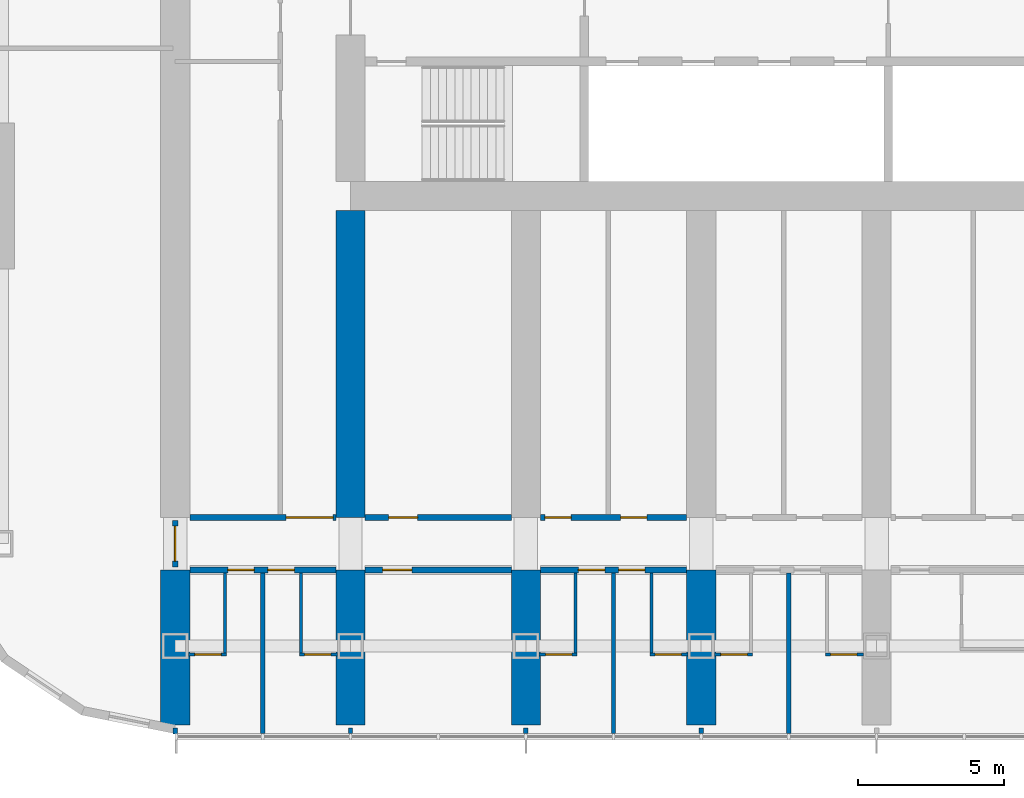
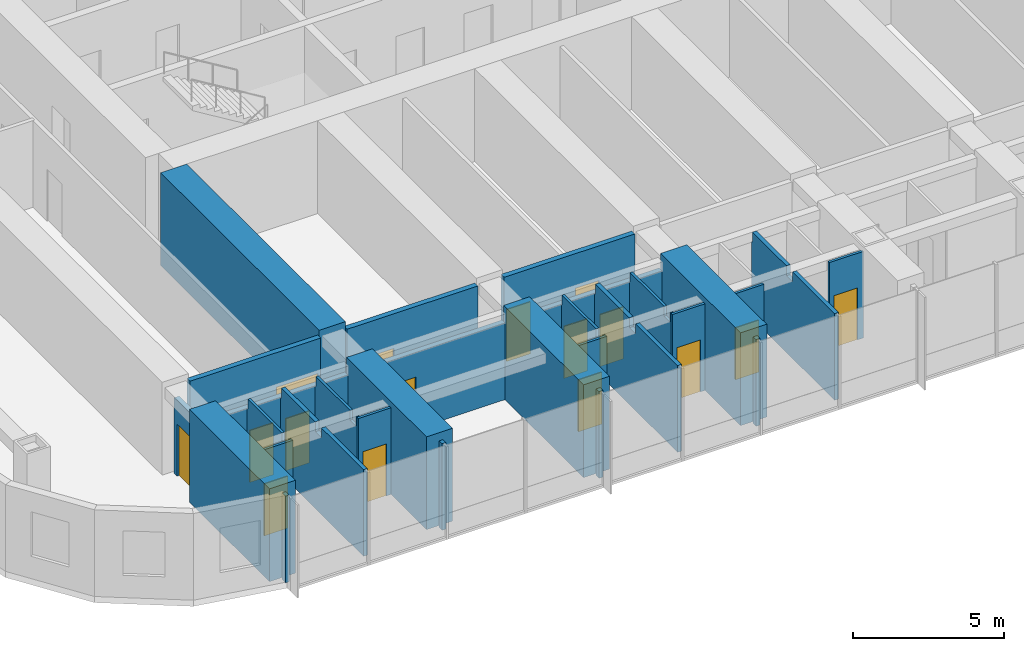
# One storey, part 10 of 23: 29 walls, 16 doors, 16 openings.
"""IFC4 building model written with IfcOpenShell, lengths in metres."""

from ifc_helpers import new_model, si_unit, direction, frame, frame_2d, origin, place, context, subcontext, project, spatial, polyline, rectangle, outline, extrude, material, layer, layer_set, type_object, element, fill, save


model = new_model("IFC4")

# Units and contexts
model_context = context("Model", 3, precision=1e-05, world=origin(), true_north=direction((0.0, 1.0)))
body_context = subcontext(model_context, "Body", "Model", "MODEL_VIEW")
ifc_project = project(units=[si_unit("LENGTHUNIT", "METRE"), si_unit("AREAUNIT", "SQUARE_METRE"), si_unit("VOLUMEUNIT", "CUBIC_METRE"), si_unit("PLANEANGLEUNIT", "RADIAN"), si_unit("MASSUNIT", "GRAM", prefix="KILO")], contexts=[model_context])

# Site, building, storey
site_placement = place(None, origin())
site = spatial("IfcSite", under=ifc_project, at=site_placement, CompositionType="ELEMENT")
building_placement = place(site_placement, origin())
building = spatial("IfcBuilding", under=site, at=building_placement, Name="Orbita Commons", CompositionType="ELEMENT")
storey_placement = place(building_placement, frame((0.0, 0.0, 46.449951171875)))
storey = spatial("IfcBuildingStorey", under=building, at=storey_placement, Name="L11", CompositionType="ELEMENT", Elevation=46.449951171875)

# Wall, openings, doors
ifc_material_1 = material(Name="Concrete blockwork", Category="masonry")
ifc_layer_1 = layer(ifc_material_1, 0.199951171875)
ifc_layer_set_1 = layer_set([ifc_layer_1], Name="Concrete blockwork")
wall_type_1 = type_object("IfcWallType", Name="Corridor wall 200 blockwork", PredefinedType="SOLIDWALL", material=ifc_layer_set_1)
wall_1_placement = place(storey_placement, frame((12.5, 13.0, 0.0), z_axis=(0.0, 0.0, 1.0), x_axis=(1.0, 0.0, 0.0)))
wall_1 = element("IfcWall", 1, at=wall_1_placement, inside=storey, type_object=wall_type_1, Name="Corridor wall 200 blockwork L11", PredefinedType="SOLIDWALL", context=body_context, shape_type="SweptSolid", body=[
    extrude(outline(polyline([(0.0, 0.0), (5.0, 0.0), (5.0, 3.10009765625), (0.0, 3.10009765625), (0.0, 0.0)])), frame((0.0, 0.10009765625, 0.0), z_axis=(0.0, -1.0, 0.0), x_axis=(1.0, 0.0, 0.0)), (0.0, 0.0, 1.0), 0.199951171875),
])
opening_1_placement = place(wall_1_placement, frame((1.300048828125, 0.0, 0.0)))
opening_1 = element("IfcOpeningElement", 2, at=opening_1_placement, cuts=wall_1, Name="Opening D11", PredefinedType="OPENING", context=body_context, shape_type="SweptSolid", body=[
    extrude(rectangle(XDim=0.89990234375, YDim=2.10009765625, at=frame_2d((0.449951171875, 1.050048828125))), frame((0.0, 0.10986328125, 0.0), z_axis=(0.0, -1.0, 0.0), x_axis=(1.0, 0.0, 0.0)), (0.0, 0.0, 1.0), 0.219970703125),
])
opening_2_placement = place(wall_1_placement, frame((2.675048828125, 0.0, 0.0)))
opening_2 = element("IfcOpeningElement", 3, at=opening_2_placement, cuts=wall_1, Name="Opening D11", PredefinedType="OPENING", context=body_context, shape_type="SweptSolid", body=[
    extrude(rectangle(XDim=0.89990234375, YDim=2.10009765625, at=frame_2d((0.449951171875, 1.050048828125))), frame((0.0, 0.10986328125, 0.0), z_axis=(0.0, -1.0, 0.0), x_axis=(1.0, 0.0, 0.0)), (0.0, 0.0, 1.0), 0.219970703125),
])
ifc_material_2 = material(Name="Steel-faced fire door leaf", Category="steel")
door_type_1 = type_object("IfcDoorType", Name="Corridor door 20 min 900x2100", OperationType="SINGLE_SWING_LEFT", PredefinedType="DOOR", material=ifc_material_2)
door_1_placement = place(opening_1_placement, origin())
door_1 = element("IfcDoor", 4, at=door_1_placement, inside=storey, type_object=door_type_1, Name="House bedroom L11-S00 door", OperationType="SINGLE_SWING_LEFT", OverallHeight=2.10009765625, OverallWidth=0.89990234375, PredefinedType="DOOR", context=body_context, shape_type="SweptSolid", body=[
    extrude(rectangle(XDim=0.89990234375, YDim=2.10009765625, at=frame_2d((0.449951171875, 1.050048828125))), frame((0.0, 0.02490234375, 0.0), z_axis=(0.0, -1.0, 0.0), x_axis=(1.0, 0.0, 0.0)), (0.0, 0.0, 1.0), 0.050048828125),
])
fill(opening_1, door_1)
door_2_placement = place(opening_2_placement, origin())
door_2 = element("IfcDoor", 5, at=door_2_placement, inside=storey, type_object=door_type_1, Name="House bedroom L11-S01 door", OperationType="SINGLE_SWING_LEFT", OverallHeight=2.10009765625, OverallWidth=0.89990234375, PredefinedType="DOOR", context=body_context, shape_type="SweptSolid", body=[
    extrude(rectangle(XDim=0.89990234375, YDim=2.10009765625, at=frame_2d((0.449951171875, 1.050048828125))), frame((0.0, 0.02490234375, 0.0), z_axis=(0.0, -1.0, 0.0), x_axis=(1.0, 0.0, 0.0)), (0.0, 0.0, 1.0), 0.050048828125),
])
fill(opening_2, door_2)

# Wall, opening, door
wall_2_placement = place(storey_placement, frame((18.5, 13.0, 0.0), z_axis=(0.0, 0.0, 1.0), x_axis=(1.0, 0.0, 0.0)))
wall_2 = element("IfcWall", 6, at=wall_2_placement, inside=storey, type_object=wall_type_1, Name="Corridor wall 200 blockwork L11", PredefinedType="SOLIDWALL", context=body_context, shape_type="SweptSolid", body=[
    extrude(outline(polyline([(0.0, 0.0), (5.0, 0.0), (5.0, 3.10009765625), (0.0, 3.10009765625), (0.0, 0.0)])), frame((0.0, 0.10009765625, 0.0), z_axis=(0.0, -1.0, 0.0), x_axis=(1.0, 0.0, 0.0)), (0.0, 0.0, 1.0), 0.199951171875),
])
opening_3_placement = place(wall_2_placement, frame((0.60009765625, 0.0, 0.0)))
opening_3 = element("IfcOpeningElement", 7, at=opening_3_placement, cuts=wall_2, Name="Opening D06", PredefinedType="OPENING", context=body_context, shape_type="SweptSolid", body=[
    extrude(rectangle(XDim=1.0, YDim=2.10009765625, at=frame_2d((0.5, 1.050048828125))), frame((0.0, 0.10986328125, 0.0), z_axis=(0.0, -1.0, 0.0), x_axis=(1.0, 0.0, 0.0)), (0.0, 0.0, 1.0), 0.219970703125),
])
ifc_material_3 = material(Name="Steel-faced fire door leaf", Category="steel")
door_type_2 = type_object("IfcDoorType", Name="Corridor door 20 min 1000x2100", OperationType="SINGLE_SWING_LEFT", PredefinedType="DOOR", material=ifc_material_3)
door_3_placement = place(opening_3_placement, origin())
door_3 = element("IfcDoor", 8, at=door_3_placement, inside=storey, type_object=door_type_2, Name="House study room L11-S02 door", OperationType="SINGLE_SWING_LEFT", OverallHeight=2.10009765625, OverallWidth=1.0, PredefinedType="DOOR", context=body_context, shape_type="SweptSolid", body=[
    extrude(rectangle(XDim=1.0, YDim=2.10009765625, at=frame_2d((0.5, 1.050048828125))), frame((0.0, 0.02490234375, 0.0), z_axis=(0.0, -1.0, 0.0), x_axis=(1.0, 0.0, 0.0)), (0.0, 0.0, 1.0), 0.050048828125),
])
fill(opening_3, door_3)

# Wall, openings, doors
wall_3_placement = place(storey_placement, frame((24.5, 13.0, 0.0), z_axis=(0.0, 0.0, 1.0), x_axis=(1.0, 0.0, 0.0)))
wall_3 = element("IfcWall", 9, at=wall_3_placement, inside=storey, type_object=wall_type_1, Name="Corridor wall 200 blockwork L11", PredefinedType="SOLIDWALL", context=body_context, shape_type="SweptSolid", body=[
    extrude(outline(polyline([(0.0, 0.0), (5.0, 0.0), (5.0, 3.10009765625), (0.0, 3.10009765625), (0.0, 0.0)])), frame((0.0, 0.10009765625, 0.0), z_axis=(0.0, -1.0, 0.0), x_axis=(1.0, 0.0, 0.0)), (0.0, 0.0, 1.0), 0.199951171875),
])
opening_4_placement = place(wall_3_placement, frame((1.300048828125, 0.0, 0.0)))
opening_4 = element("IfcOpeningElement", 10, at=opening_4_placement, cuts=wall_3, Name="Opening D11", PredefinedType="OPENING", context=body_context, shape_type="SweptSolid", body=[
    extrude(rectangle(XDim=0.89990234375, YDim=2.10009765625, at=frame_2d((0.449951171875, 1.050048828125))), frame((0.0, 0.10986328125, 0.0), z_axis=(0.0, -1.0, 0.0), x_axis=(1.0, 0.0, 0.0)), (0.0, 0.0, 1.0), 0.219970703125),
])
opening_5_placement = place(wall_3_placement, frame((2.675048828125, 0.0, 0.0)))
opening_5 = element("IfcOpeningElement", 11, at=opening_5_placement, cuts=wall_3, Name="Opening D11", PredefinedType="OPENING", context=body_context, shape_type="SweptSolid", body=[
    extrude(rectangle(XDim=0.89990234375, YDim=2.10009765625, at=frame_2d((0.449951171875, 1.050048828125))), frame((0.0, 0.10986328125, 0.0), z_axis=(0.0, -1.0, 0.0), x_axis=(1.0, 0.0, 0.0)), (0.0, 0.0, 1.0), 0.219970703125),
])
door_4_placement = place(opening_4_placement, origin())
door_4 = element("IfcDoor", 12, at=door_4_placement, inside=storey, type_object=door_type_1, Name="House bedroom L11-S04 door", OperationType="SINGLE_SWING_LEFT", OverallHeight=2.10009765625, OverallWidth=0.89990234375, PredefinedType="DOOR", context=body_context, shape_type="SweptSolid", body=[
    extrude(rectangle(XDim=0.89990234375, YDim=2.10009765625, at=frame_2d((0.449951171875, 1.050048828125))), frame((0.0, 0.02490234375, 0.0), z_axis=(0.0, -1.0, 0.0), x_axis=(1.0, 0.0, 0.0)), (0.0, 0.0, 1.0), 0.050048828125),
])
fill(opening_4, door_4)
door_5_placement = place(opening_5_placement, origin())
door_5 = element("IfcDoor", 13, at=door_5_placement, inside=storey, type_object=door_type_1, Name="House bedroom L11-S05 door", OperationType="SINGLE_SWING_LEFT", OverallHeight=2.10009765625, OverallWidth=0.89990234375, PredefinedType="DOOR", context=body_context, shape_type="SweptSolid", body=[
    extrude(rectangle(XDim=0.89990234375, YDim=2.10009765625, at=frame_2d((0.449951171875, 1.050048828125))), frame((0.0, 0.02490234375, 0.0), z_axis=(0.0, -1.0, 0.0), x_axis=(1.0, 0.0, 0.0)), (0.0, 0.0, 1.0), 0.050048828125),
])
fill(opening_5, door_5)

# Wall, opening, door
wall_4_placement = place(storey_placement, frame((12.0, 13.10009765625, 0.0), z_axis=(0.0, 0.0, 1.0), x_axis=(0.0, 1.0, 0.0)))
wall_4 = element("IfcWall", 14, at=wall_4_placement, inside=storey, type_object=wall_type_1, Name="Corridor wall 200 blockwork L11", PredefinedType="SOLIDWALL", context=body_context, shape_type="SweptSolid", body=[
    extrude(outline(polyline([(0.0, 0.0), (1.599853515625, 0.0), (1.60009765625, 3.050048828125), (0.0, 3.050048828125), (0.0, 0.0)])), frame((0.0, 0.10009765625, 0.0), z_axis=(0.0, -1.0, 0.0), x_axis=(1.0, 0.0, 0.0)), (0.0, 0.0, 1.0), 0.199951171875),
])
opening_6_placement = place(wall_4_placement, frame((0.199951171875, 0.0, 0.0)))
opening_6 = element("IfcOpeningElement", 15, at=opening_6_placement, cuts=wall_4, Name="Opening D12", PredefinedType="OPENING", context=body_context, shape_type="SweptSolid", body=[
    extrude(rectangle(XDim=1.199951171875, YDim=2.10009765625, at=frame_2d((0.60009765625, 1.050048828125))), frame((0.0, 0.10986328125, 0.0), z_axis=(0.0, -1.0, 0.0), x_axis=(1.0, 0.0, 0.0)), (0.0, 0.0, 1.0), 0.219970703125),
])
ifc_material_4 = material(Name="Steel-faced fire door leaf", Category="steel")
door_type_3 = type_object("IfcDoorType", Name="Double corridor door 20 min 1200x2100", OperationType="DOUBLE_DOOR_SINGLE_SWING", PredefinedType="DOOR", material=ifc_material_4)
door_6_placement = place(opening_6_placement, origin())
door_6 = element("IfcDoor", 16, at=door_6_placement, inside=storey, type_object=door_type_3, Name="Lounge doors", OperationType="DOUBLE_DOOR_SINGLE_SWING", OverallHeight=2.10009765625, OverallWidth=1.199951171875, PredefinedType="DOOR", context=body_context, shape_type="SweptSolid", body=[
    extrude(rectangle(XDim=1.199951171875, YDim=2.10009765625, at=frame_2d((0.60009765625, 1.050048828125))), frame((0.0, 0.02490234375, 0.0), z_axis=(0.0, -1.0, 0.0), x_axis=(1.0, 0.0, 0.0)), (0.0, 0.0, 1.0), 0.050048828125),
])
fill(opening_6, door_6)

ifc_material_5 = material(Name="Hollow concrete block 200", Category="concrete")
ifc_layer_2 = layer(ifc_material_5, 0.199951171875)
ifc_layer_set_2 = layer_set([ifc_layer_2], Name="Hollow concrete block 200")
wall_type_2 = type_object("IfcWallType", Name="Corridor wall 200 hollow concrete block", PredefinedType="SOLIDWALL", material=ifc_layer_set_2)
wall_5_placement = place(storey_placement, frame((12.5, 14.800048828125, 0.0), z_axis=(0.0, 0.0, 1.0), x_axis=(1.0, 0.0, 0.0)))
wall_5 = element("IfcWall", 17, at=wall_5_placement, inside=storey, type_object=wall_type_2, Name="Corridor wall 200 hollow concrete block L11", PredefinedType="SOLIDWALL", context=body_context, shape_type="SweptSolid", body=[
    extrude(rectangle(XDim=5.0, YDim=0.199951171875, at=frame_2d((2.5, 0.0))), origin(), (0.0, 0.0, 1.0), 3.5),
])
opening_7_placement = place(wall_5_placement, frame((3.300048828125, 0.0, 0.0)))
opening_7 = element("IfcOpeningElement", 18, at=opening_7_placement, cuts=wall_5, Name="Opening D10", PredefinedType="OPENING", context=body_context, shape_type="SweptSolid", body=[
    extrude(rectangle(XDim=1.60009765625, YDim=2.10009765625, at=frame_2d((0.800048828125, 1.050048828125))), frame((0.0, 0.10986328125, 0.0), z_axis=(0.0, -1.0, 0.0), x_axis=(1.0, 0.0, 0.0)), (0.0, 0.0, 1.0), 0.219970703125),
])
ifc_material_6 = material(Name="Steel-faced fire door leaf", Category="steel")
door_type_4 = type_object("IfcDoorType", Name="Double corridor door 20 min 1600x2100", OperationType="DOUBLE_DOOR_SINGLE_SWING", PredefinedType="DOOR", material=ifc_material_6)
door_7_placement = place(opening_7_placement, origin())
door_7 = element("IfcDoor", 19, at=door_7_placement, inside=storey, type_object=door_type_4, Name="Cross corridor doors", OperationType="DOUBLE_DOOR_SINGLE_SWING", OverallHeight=2.10009765625, OverallWidth=1.60009765625, PredefinedType="DOOR", context=body_context, shape_type="SweptSolid", body=[
    extrude(rectangle(XDim=1.60009765625, YDim=2.10009765625, at=frame_2d((0.800048828125, 1.050048828125))), frame((0.0, 0.02490234375, 0.0), z_axis=(0.0, -1.0, 0.0), x_axis=(1.0, 0.0, 0.0)), (0.0, 0.0, 1.0), 0.050048828125),
])
fill(opening_7, door_7)

wall_6_placement = place(storey_placement, frame((18.5, 14.800048828125, 0.0), z_axis=(0.0, 0.0, 1.0), x_axis=(1.0, 0.0, 0.0)))
wall_6 = element("IfcWall", 20, at=wall_6_placement, inside=storey, type_object=wall_type_2, Name="Corridor wall 200 hollow concrete block L11", PredefinedType="SOLIDWALL", context=body_context, shape_type="SweptSolid", body=[
    extrude(rectangle(XDim=5.0, YDim=0.199951171875, at=frame_2d((2.5, 0.0))), origin(), (0.0, 0.0, 1.0), 3.5),
])
opening_8_placement = place(wall_6_placement, frame((0.800048828125, 0.0, 0.0)))
opening_8 = element("IfcOpeningElement", 21, at=opening_8_placement, cuts=wall_6, Name="Opening D06", PredefinedType="OPENING", context=body_context, shape_type="SweptSolid", body=[
    extrude(rectangle(XDim=1.0, YDim=2.10009765625, at=frame_2d((0.5, 1.050048828125))), frame((0.0, 0.10986328125, 0.0), z_axis=(0.0, -1.0, 0.0), x_axis=(1.0, 0.0, 0.0)), (0.0, 0.0, 1.0), 0.219970703125),
])
door_8_placement = place(opening_8_placement, origin())
door_8 = element("IfcDoor", 22, at=door_8_placement, inside=storey, type_object=door_type_2, Name="IT and print room L11-BDS18 door", OperationType="SINGLE_SWING_LEFT", OverallHeight=2.10009765625, OverallWidth=1.0, PredefinedType="DOOR", context=body_context, shape_type="SweptSolid", body=[
    extrude(rectangle(XDim=1.0, YDim=2.10009765625, at=frame_2d((0.5, 1.050048828125))), frame((0.0, 0.02490234375, 0.0), z_axis=(0.0, -1.0, 0.0), x_axis=(1.0, 0.0, 0.0)), (0.0, 0.0, 1.0), 0.050048828125),
])
fill(opening_8, door_8)

# Wall, openings, doors
wall_7_placement = place(storey_placement, frame((24.5, 14.800048828125, 0.0), z_axis=(0.0, 0.0, 1.0), x_axis=(1.0, 0.0, 0.0)))
wall_7 = element("IfcWall", 23, at=wall_7_placement, inside=storey, type_object=wall_type_2, Name="Corridor wall 200 hollow concrete block L11", PredefinedType="SOLIDWALL", context=body_context, shape_type="SweptSolid", body=[
    extrude(rectangle(XDim=5.0, YDim=0.199951171875, at=frame_2d((2.5, 0.0))), origin(), (0.0, 0.0, 1.0), 3.5),
])
opening_9_placement = place(wall_7_placement, frame((0.14990234375, 0.0, 0.0)))
opening_9 = element("IfcOpeningElement", 24, at=opening_9_placement, cuts=wall_7, Name="Opening D11", PredefinedType="OPENING", context=body_context, shape_type="SweptSolid", body=[
    extrude(rectangle(XDim=0.89990234375, YDim=2.10009765625, at=frame_2d((0.449951171875, 1.050048828125))), frame((0.0, 0.10986328125, 0.0), z_axis=(0.0, -1.0, 0.0), x_axis=(1.0, 0.0, 0.0)), (0.0, 0.0, 1.0), 0.219970703125),
])
opening_10_placement = place(wall_7_placement, frame((2.739990234375, 0.0, 0.0)))
opening_10 = element("IfcOpeningElement", 25, at=opening_10_placement, cuts=wall_7, Name="Opening D11", PredefinedType="OPENING", context=body_context, shape_type="SweptSolid", body=[
    extrude(rectangle(XDim=0.89990234375, YDim=2.10009765625, at=frame_2d((0.449951171875, 1.050048828125))), frame((0.0, 0.10986328125, 0.0), z_axis=(0.0, -1.0, 0.0), x_axis=(1.0, 0.0, 0.0)), (0.0, 0.0, 1.0), 0.219970703125),
])
door_9_placement = place(opening_9_placement, origin())
door_9 = element("IfcDoor", 26, at=door_9_placement, inside=storey, type_object=door_type_1, Name="Accessible WC and shower room L11-BDS24n door", OperationType="SINGLE_SWING_LEFT", OverallHeight=2.10009765625, OverallWidth=0.89990234375, PredefinedType="DOOR", context=body_context, shape_type="SweptSolid", body=[
    extrude(rectangle(XDim=0.89990234375, YDim=2.10009765625, at=frame_2d((0.449951171875, 1.050048828125))), frame((0.0, 0.02490234375, 0.0), z_axis=(0.0, -1.0, 0.0), x_axis=(1.0, 0.0, 0.0)), (0.0, 0.0, 1.0), 0.050048828125),
])
fill(opening_9, door_9)
door_10_placement = place(opening_10_placement, origin())
door_10 = element("IfcDoor", 27, at=door_10_placement, inside=storey, type_object=door_type_1, Name="Bicycle repair workshop L11-BDS24 door", OperationType="SINGLE_SWING_LEFT", OverallHeight=2.10009765625, OverallWidth=0.89990234375, PredefinedType="DOOR", context=body_context, shape_type="SweptSolid", body=[
    extrude(rectangle(XDim=0.89990234375, YDim=2.10009765625, at=frame_2d((0.449951171875, 1.050048828125))), frame((0.0, 0.02490234375, 0.0), z_axis=(0.0, -1.0, 0.0), x_axis=(1.0, 0.0, 0.0)), (0.0, 0.0, 1.0), 0.050048828125),
])
fill(opening_10, door_10)

# Walls
ifc_material_7 = material(Name="Concrete C50/60", Category="concrete")
ifc_layer_3 = layer(ifc_material_7, 1.0)
ifc_layer_set_3 = layer_set([ifc_layer_3], Name="Concrete C50/60")
wall_type_3 = type_object("IfcWallType", Name="Cross wall 1000 C50/60", PredefinedType="SHEAR", material=ifc_layer_set_3)
for number, where, z_axis, x_axis, name in (
    (28, (12.0, 7.699951171875, 0.0), (0.0, 0.0, 1.0), (0.0, 1.0, 0.0), "Cross wall 3 south outer L11"),
    (29, (18.0, 7.699951171875, 0.0), (0.0, 0.0, 1.0), (0.0, 1.0, 0.0), "Cross wall 4 south outer L11"),
):
    element("IfcWall", number, at=place(storey_placement, frame(where, z_axis=z_axis, x_axis=x_axis)), inside=storey, type_object=wall_type_3, Name=name, PredefinedType="SHEAR", context=body_context, shape_type="SweptSolid", body=[
        extrude(rectangle(XDim=5.300048828125, YDim=1.0, at=frame_2d((2.64990234375, 0.0))), origin(), (0.0, 0.0, 1.0), 3.75),
    ])
wall_8_placement = place(storey_placement, frame((18.0, 14.800048828125, 0.0), z_axis=(0.0, 0.0, 1.0), x_axis=(0.0, 1.0, 0.0)))
element("IfcWall", 30, at=wall_8_placement, inside=storey, type_object=wall_type_3, Name="Cross wall 4 south inner L11", PredefinedType="SHEAR", context=body_context, shape_type="SweptSolid", body=[
    extrude(rectangle(XDim=10.5, YDim=1.0, at=frame_2d((5.25, 0.0))), origin(), (0.0, 0.0, 1.0), 3.75),
])
for number, where, z_axis, x_axis, name in (
    (31, (24.0, 7.699951171875, 0.0), (0.0, 0.0, 1.0), (0.0, 1.0, 0.0), "Cross wall 5 south outer L11"),
    (32, (30.0, 7.699951171875, 0.0), (0.0, 0.0, 1.0), (0.0, 1.0, 0.0), "Cross wall 6 south outer L11"),
):
    element("IfcWall", number, at=place(storey_placement, frame(where, z_axis=z_axis, x_axis=x_axis)), inside=storey, type_object=wall_type_3, Name=name, PredefinedType="SHEAR", context=body_context, shape_type="SweptSolid", body=[
        extrude(rectangle(XDim=5.300048828125, YDim=1.0, at=frame_2d((2.64990234375, 0.0))), origin(), (0.0, 0.0, 1.0), 3.75),
    ])

# Wall, opening, door
ifc_material_8 = material(Name="Moisture-resistant plasterboard on steel studs", Category="steel")
ifc_layer_4 = layer(ifc_material_8, 0.10009765625)
ifc_layer_set_4 = layer_set([ifc_layer_4], Name="Moisture-resistant plasterboard on steel studs")
wall_type_4 = type_object("IfcWallType", Name="En-suite partition 100", PredefinedType="PARTITIONING", material=ifc_layer_set_4)
wall_9_placement = place(storey_placement, frame((13.75, 10.10009765625, 0.0), z_axis=(0.0, 0.0, 1.0), x_axis=(-1.0, 0.0, 0.0)))
wall_9 = element("IfcWall", 33, at=wall_9_placement, inside=storey, type_object=wall_type_4, Name="En-suite partition 100 L11", PredefinedType="PARTITIONING", context=body_context, shape_type="SweptSolid", body=[
    extrude(rectangle(XDim=1.300048828125, YDim=0.10009765625, at=frame_2d((0.64990234375, 0.0))), origin(), (0.0, 0.0, 1.0), 3.5),
])
opening_11_placement = place(wall_9_placement, frame((0.175048828125, 0.0, 0.0)))
opening_11 = element("IfcOpeningElement", 34, at=opening_11_placement, cuts=wall_9, Name="Opening D09", PredefinedType="OPENING", context=body_context, shape_type="SweptSolid", body=[
    extrude(rectangle(XDim=0.89990234375, YDim=2.10009765625, at=frame_2d((0.449951171875, 1.050048828125))), frame((0.0, 0.06005859375, 0.0), z_axis=(0.0, -1.0, 0.0), x_axis=(1.0, 0.0, 0.0)), (0.0, 0.0, 1.0), 0.1201171875),
])
ifc_material_9 = material(Name="Laminated timber door leaf", Category="wood")
door_type_5 = type_object("IfcDoorType", Name="En-suite door 900x2100", OperationType="SINGLE_SWING_RIGHT", PredefinedType="DOOR", material=ifc_material_9)
door_11_placement = place(opening_11_placement, origin())
door_11 = element("IfcDoor", 35, at=door_11_placement, inside=storey, type_object=door_type_5, Name="En-suite L11-S00 door", OperationType="SINGLE_SWING_RIGHT", OverallHeight=2.10009765625, OverallWidth=0.89990234375, PredefinedType="DOOR", context=body_context, shape_type="SweptSolid", body=[
    extrude(rectangle(XDim=0.89990234375, YDim=2.10009765625, at=frame_2d((0.449951171875, 1.050048828125))), frame((0.0, 0.02490234375, 0.0), z_axis=(0.0, -1.0, 0.0), x_axis=(1.0, 0.0, 0.0)), (0.0, 0.0, 1.0), 0.050048828125),
])
fill(opening_11, door_11)

# Wall
wall_10_placement = place(storey_placement, frame((13.699951171875, 10.14990234375, 0.0), z_axis=(0.0, 0.0, 1.0), x_axis=(0.0, 1.0, 0.0)))
element("IfcWall", 36, at=wall_10_placement, inside=storey, type_object=wall_type_4, Name="En-suite partition 100 L11", PredefinedType="PARTITIONING", context=body_context, shape_type="SweptSolid", body=[
    extrude(outline(polyline([(0.0, 0.0), (2.75, 0.0), (2.75, 3.10009765625), (2.701904296875, 3.10009765625), (2.699951171875, 3.5), (0.451904296875, 3.5), (0.449951171875, 3.10009765625), (0.052001953125, 3.10009765625), (0.050048828125, 3.5), (0.0, 3.5), (0.0, 0.0)])), frame((0.0, 0.050048828125, 0.0), z_axis=(0.0, -1.0, 0.0), x_axis=(1.0, 0.0, 0.0)), (0.0, 0.0, 1.0), 0.10009765625),
])

# Wall, opening, door
wall_11_placement = place(storey_placement, frame((17.550048828125, 10.10009765625, 0.0), z_axis=(0.0, 0.0, 1.0), x_axis=(-1.0, 0.0, 0.0)))
wall_11 = element("IfcWall", 37, at=wall_11_placement, inside=storey, type_object=wall_type_4, Name="En-suite partition 100 L11", PredefinedType="PARTITIONING", context=body_context, shape_type="SweptSolid", body=[
    extrude(rectangle(XDim=1.300048828125, YDim=0.10009765625, at=frame_2d((0.64990234375, 0.0))), origin(), (0.0, 0.0, 1.0), 3.5),
])
opening_12_placement = place(wall_11_placement, frame((0.22509765625, 0.0, 0.0)))
opening_12 = element("IfcOpeningElement", 38, at=opening_12_placement, cuts=wall_11, Name="Opening D09", PredefinedType="OPENING", context=body_context, shape_type="SweptSolid", body=[
    extrude(rectangle(XDim=0.89990234375, YDim=2.10009765625, at=frame_2d((0.449951171875, 1.050048828125))), frame((0.0, 0.06005859375, 0.0), z_axis=(0.0, -1.0, 0.0), x_axis=(1.0, 0.0, 0.0)), (0.0, 0.0, 1.0), 0.1201171875),
])
door_12_placement = place(opening_12_placement, origin())
door_12 = element("IfcDoor", 39, at=door_12_placement, inside=storey, type_object=door_type_5, Name="En-suite L11-S01 door", OperationType="SINGLE_SWING_RIGHT", OverallHeight=2.10009765625, OverallWidth=0.89990234375, PredefinedType="DOOR", context=body_context, shape_type="SweptSolid", body=[
    extrude(rectangle(XDim=0.89990234375, YDim=2.10009765625, at=frame_2d((0.449951171875, 1.050048828125))), frame((0.0, 0.02490234375, 0.0), z_axis=(0.0, -1.0, 0.0), x_axis=(1.0, 0.0, 0.0)), (0.0, 0.0, 1.0), 0.050048828125),
])
fill(opening_12, door_12)

# Wall
wall_12_placement = place(storey_placement, frame((16.300048828125, 10.14990234375, 0.0), z_axis=(0.0, 0.0, 1.0), x_axis=(0.0, 1.0, 0.0)))
element("IfcWall", 40, at=wall_12_placement, inside=storey, type_object=wall_type_4, Name="En-suite partition 100 L11", PredefinedType="PARTITIONING", context=body_context, shape_type="SweptSolid", body=[
    extrude(outline(polyline([(0.0, 0.0), (2.75, 0.0), (2.75, 3.10009765625), (2.701904296875, 3.10009765625), (2.699951171875, 3.5), (0.451904296875, 3.5), (0.449951171875, 3.10009765625), (0.052001953125, 3.10009765625), (0.050048828125, 3.5), (0.0, 3.5), (0.0, 0.0)])), frame((0.0, 0.050048828125, 0.0), z_axis=(0.0, -1.0, 0.0), x_axis=(1.0, 0.0, 0.0)), (0.0, 0.0, 1.0), 0.10009765625),
])

# Wall, opening, door
wall_13_placement = place(storey_placement, frame((25.75, 10.10009765625, 0.0), z_axis=(0.0, 0.0, 1.0), x_axis=(-1.0, 0.0, 0.0)))
wall_13 = element("IfcWall", 41, at=wall_13_placement, inside=storey, type_object=wall_type_4, Name="En-suite partition 100 L11", PredefinedType="PARTITIONING", context=body_context, shape_type="SweptSolid", body=[
    extrude(rectangle(XDim=1.300048828125, YDim=0.10009765625, at=frame_2d((0.64990234375, 0.0))), origin(), (0.0, 0.0, 1.0), 3.5),
])
opening_13_placement = place(wall_13_placement, frame((0.175048828125, 0.0, 0.0)))
opening_13 = element("IfcOpeningElement", 42, at=opening_13_placement, cuts=wall_13, Name="Opening D09", PredefinedType="OPENING", context=body_context, shape_type="SweptSolid", body=[
    extrude(rectangle(XDim=0.89990234375, YDim=2.10009765625, at=frame_2d((0.449951171875, 1.050048828125))), frame((0.0, 0.06005859375, 0.0), z_axis=(0.0, -1.0, 0.0), x_axis=(1.0, 0.0, 0.0)), (0.0, 0.0, 1.0), 0.1201171875),
])
door_13_placement = place(opening_13_placement, origin())
door_13 = element("IfcDoor", 43, at=door_13_placement, inside=storey, type_object=door_type_5, Name="En-suite L11-S04 door", OperationType="SINGLE_SWING_RIGHT", OverallHeight=2.10009765625, OverallWidth=0.89990234375, PredefinedType="DOOR", context=body_context, shape_type="SweptSolid", body=[
    extrude(rectangle(XDim=0.89990234375, YDim=2.10009765625, at=frame_2d((0.449951171875, 1.050048828125))), frame((0.0, 0.02490234375, 0.0), z_axis=(0.0, -1.0, 0.0), x_axis=(1.0, 0.0, 0.0)), (0.0, 0.0, 1.0), 0.050048828125),
])
fill(opening_13, door_13)

# Wall
wall_14_placement = place(storey_placement, frame((25.699951171875, 10.14990234375, 0.0), z_axis=(0.0, 0.0, 1.0), x_axis=(0.0, 1.0, 0.0)))
element("IfcWall", 44, at=wall_14_placement, inside=storey, type_object=wall_type_4, Name="En-suite partition 100 L11", PredefinedType="PARTITIONING", context=body_context, shape_type="SweptSolid", body=[
    extrude(outline(polyline([(0.0, 0.0), (2.75, 0.0), (2.75, 3.10009765625), (2.701904296875, 3.10009765625), (2.699951171875, 3.5), (0.451904296875, 3.5), (0.449951171875, 3.10009765625), (0.052001953125, 3.10009765625), (0.050048828125, 3.5), (0.0, 3.5), (0.0, 0.0)])), frame((0.0, 0.050048828125, 0.0), z_axis=(0.0, -1.0, 0.0), x_axis=(1.0, 0.0, 0.0)), (0.0, 0.0, 1.0), 0.10009765625),
])

# Wall, opening, door
wall_15_placement = place(storey_placement, frame((29.550048828125, 10.10009765625, 0.0), z_axis=(0.0, 0.0, 1.0), x_axis=(-1.0, 0.0, 0.0)))
wall_15 = element("IfcWall", 45, at=wall_15_placement, inside=storey, type_object=wall_type_4, Name="En-suite partition 100 L11", PredefinedType="PARTITIONING", context=body_context, shape_type="SweptSolid", body=[
    extrude(rectangle(XDim=1.300048828125, YDim=0.10009765625, at=frame_2d((0.64990234375, 0.0))), origin(), (0.0, 0.0, 1.0), 3.5),
])
opening_14_placement = place(wall_15_placement, frame((0.22509765625, 0.0, 0.0)))
opening_14 = element("IfcOpeningElement", 46, at=opening_14_placement, cuts=wall_15, Name="Opening D09", PredefinedType="OPENING", context=body_context, shape_type="SweptSolid", body=[
    extrude(rectangle(XDim=0.89990234375, YDim=2.10009765625, at=frame_2d((0.449951171875, 1.050048828125))), frame((0.0, 0.06005859375, 0.0), z_axis=(0.0, -1.0, 0.0), x_axis=(1.0, 0.0, 0.0)), (0.0, 0.0, 1.0), 0.1201171875),
])
door_14_placement = place(opening_14_placement, origin())
door_14 = element("IfcDoor", 47, at=door_14_placement, inside=storey, type_object=door_type_5, Name="En-suite L11-S05 door", OperationType="SINGLE_SWING_RIGHT", OverallHeight=2.10009765625, OverallWidth=0.89990234375, PredefinedType="DOOR", context=body_context, shape_type="SweptSolid", body=[
    extrude(rectangle(XDim=0.89990234375, YDim=2.10009765625, at=frame_2d((0.449951171875, 1.050048828125))), frame((0.0, 0.02490234375, 0.0), z_axis=(0.0, -1.0, 0.0), x_axis=(1.0, 0.0, 0.0)), (0.0, 0.0, 1.0), 0.050048828125),
])
fill(opening_14, door_14)

# Wall
wall_16_placement = place(storey_placement, frame((28.300048828125, 10.14990234375, 0.0), z_axis=(0.0, 0.0, 1.0), x_axis=(0.0, 1.0, 0.0)))
element("IfcWall", 48, at=wall_16_placement, inside=storey, type_object=wall_type_4, Name="En-suite partition 100 L11", PredefinedType="PARTITIONING", context=body_context, shape_type="SweptSolid", body=[
    extrude(outline(polyline([(0.0, 0.0), (2.75, 0.0), (2.75, 3.10009765625), (2.701904296875, 3.10009765625), (2.699951171875, 3.5), (0.451904296875, 3.5), (0.449951171875, 3.10009765625), (0.052001953125, 3.10009765625), (0.050048828125, 3.5), (0.0, 3.5), (0.0, 0.0)])), frame((0.0, 0.050048828125, 0.0), z_axis=(0.0, -1.0, 0.0), x_axis=(1.0, 0.0, 0.0)), (0.0, 0.0, 1.0), 0.10009765625),
])

# Wall, opening, door
wall_17_placement = place(storey_placement, frame((31.75, 10.10009765625, 0.0), z_axis=(0.0, 0.0, 1.0), x_axis=(-1.0, 0.0, 0.0)))
wall_17 = element("IfcWall", 49, at=wall_17_placement, inside=storey, type_object=wall_type_4, Name="En-suite partition 100 L11", PredefinedType="PARTITIONING", context=body_context, shape_type="SweptSolid", body=[
    extrude(rectangle(XDim=1.300048828125, YDim=0.10009765625, at=frame_2d((0.64990234375, 0.0))), origin(), (0.0, 0.0, 1.0), 3.5),
])
opening_15_placement = place(wall_17_placement, frame((0.175048828125, 0.0, 0.0)))
opening_15 = element("IfcOpeningElement", 50, at=opening_15_placement, cuts=wall_17, Name="Opening D09", PredefinedType="OPENING", context=body_context, shape_type="SweptSolid", body=[
    extrude(rectangle(XDim=0.89990234375, YDim=2.10009765625, at=frame_2d((0.449951171875, 1.050048828125))), frame((0.0, 0.06005859375, 0.0), z_axis=(0.0, -1.0, 0.0), x_axis=(1.0, 0.0, 0.0)), (0.0, 0.0, 1.0), 0.1201171875),
])
door_15_placement = place(opening_15_placement, origin())
door_15 = element("IfcDoor", 51, at=door_15_placement, inside=storey, type_object=door_type_5, Name="En-suite L11-S06 door", OperationType="SINGLE_SWING_RIGHT", OverallHeight=2.10009765625, OverallWidth=0.89990234375, PredefinedType="DOOR", context=body_context, shape_type="SweptSolid", body=[
    extrude(rectangle(XDim=0.89990234375, YDim=2.10009765625, at=frame_2d((0.449951171875, 1.050048828125))), frame((0.0, 0.02490234375, 0.0), z_axis=(0.0, -1.0, 0.0), x_axis=(1.0, 0.0, 0.0)), (0.0, 0.0, 1.0), 0.050048828125),
])
fill(opening_15, door_15)

wall_18_placement = place(storey_placement, frame((35.550048828125, 10.10009765625, 0.0), z_axis=(0.0, 0.0, 1.0), x_axis=(-1.0, 0.0, 0.0)))
wall_18 = element("IfcWall", 52, at=wall_18_placement, inside=storey, type_object=wall_type_4, Name="En-suite partition 100 L11", PredefinedType="PARTITIONING", context=body_context, shape_type="SweptSolid", body=[
    extrude(rectangle(XDim=1.300048828125, YDim=0.10009765625, at=frame_2d((0.64990234375, 0.0))), origin(), (0.0, 0.0, 1.0), 3.5),
])
opening_16_placement = place(wall_18_placement, frame((0.22509765625, 0.0, 0.0)))
opening_16 = element("IfcOpeningElement", 53, at=opening_16_placement, cuts=wall_18, Name="Opening D09", PredefinedType="OPENING", context=body_context, shape_type="SweptSolid", body=[
    extrude(rectangle(XDim=0.89990234375, YDim=2.10009765625, at=frame_2d((0.449951171875, 1.050048828125))), frame((0.0, 0.06005859375, 0.0), z_axis=(0.0, -1.0, 0.0), x_axis=(1.0, 0.0, 0.0)), (0.0, 0.0, 1.0), 0.1201171875),
])
door_16_placement = place(opening_16_placement, origin())
door_16 = element("IfcDoor", 54, at=door_16_placement, inside=storey, type_object=door_type_5, Name="En-suite L11-S07 door", OperationType="SINGLE_SWING_RIGHT", OverallHeight=2.10009765625, OverallWidth=0.89990234375, PredefinedType="DOOR", context=body_context, shape_type="SweptSolid", body=[
    extrude(rectangle(XDim=0.89990234375, YDim=2.10009765625, at=frame_2d((0.449951171875, 1.050048828125))), frame((0.0, 0.02490234375, 0.0), z_axis=(0.0, -1.0, 0.0), x_axis=(1.0, 0.0, 0.0)), (0.0, 0.0, 1.0), 0.050048828125),
])
fill(opening_16, door_16)

# Walls
ifc_material_10 = material(Name="Gypsum plasterboard on steel studs", Category="steel")
ifc_layer_5 = layer(ifc_material_10, 0.14990234375)
ifc_layer_set_5 = layer_set([ifc_layer_5], Name="Gypsum plasterboard on steel studs")
wall_type_5 = type_object("IfcWallType", Name="Partition 150 plasterboard", PredefinedType="PARTITIONING", material=ifc_layer_set_5)
wall_19_placement = place(storey_placement, frame((12.0, 7.60009765625, 0.0), z_axis=(0.0, 0.0, 1.0), x_axis=(0.0, -1.0, 0.0)))
element("IfcWall", 55, at=wall_19_placement, inside=storey, type_object=wall_type_5, Name="Partition 150 plasterboard L11", PredefinedType="PARTITIONING", context=body_context, shape_type="SweptSolid", body=[
    extrude(rectangle(XDim=0.22021484375, YDim=0.14990234375, at=frame_2d((0.110107421875, 0.0))), origin(), (0.0, 0.0, 1.0), 3.5),
])
for number, where, z_axis, x_axis, name in (
    (56, (18.0, 7.60009765625, 0.0), (0.0, 0.0, 1.0), (0.0, -1.0, 0.0), "Partition 150 plasterboard L11"),
    (57, (24.0, 7.60009765625, 0.0), (0.0, 0.0, 1.0), (0.0, -1.0, 0.0), "Partition 150 plasterboard L11"),
    (58, (30.0, 7.60009765625, 0.0), (0.0, 0.0, 1.0), (0.0, -1.0, 0.0), "Partition 150 plasterboard L11"),
):
    element("IfcWall", number, at=place(storey_placement, frame(where, z_axis=z_axis, x_axis=x_axis)), inside=storey, type_object=wall_type_5, Name=name, PredefinedType="PARTITIONING", context=body_context, shape_type="SweptSolid", body=[
        extrude(rectangle(XDim=0.190185546875, YDim=0.14990234375, at=frame_2d((0.09521484375, 0.0))), origin(), (0.0, 0.0, 1.0), 3.5),
    ])
ifc_material_11 = material(Name="Gypsum plasterboard on steel studs", Category="steel")
ifc_layer_6 = layer(ifc_material_11, 0.14990234375)
ifc_layer_set_6 = layer_set([ifc_layer_6], Name="Gypsum plasterboard on steel studs")
wall_type_6 = type_object("IfcWallType", Name="Party wall 150 plasterboard", PredefinedType="PARTITIONING", material=ifc_layer_set_6)
for number, where, z_axis, x_axis, name in (
    (59, (15.0, 7.409912109375, 0.0), (0.0, 0.0, 1.0), (0.0, 1.0, 0.0), "Party wall 150 plasterboard L11"),
    (60, (27.0, 7.409912109375, 0.0), (0.0, 0.0, 1.0), (0.0, 1.0, 0.0), "Party wall 150 plasterboard L11"),
    (61, (33.0, 7.409912109375, 0.0), (0.0, 0.0, 1.0), (0.0, 1.0, 0.0), "Party wall 150 plasterboard L11"),
):
    element("IfcWall", number, at=place(storey_placement, frame(where, z_axis=z_axis, x_axis=x_axis)), inside=storey, type_object=wall_type_6, Name=name, PredefinedType="PARTITIONING", context=body_context, shape_type="SweptSolid", body=[
        extrude(outline(polyline([(0.0, 0.0), (5.489990234375, 0.0), (5.489990234375, 3.10009765625), (5.44189453125, 3.10009765625), (5.43994140625, 3.5), (3.19189453125, 3.5), (3.18994140625, 3.10009765625), (2.7919921875, 3.10009765625), (2.7900390625, 3.5), (0.0, 3.5), (0.0, 0.0)])), frame((0.0, 0.074951171875, 0.0), z_axis=(0.0, -1.0, 0.0), x_axis=(1.0, 0.0, 0.0)), (0.0, 0.0, 1.0), 0.14990234375),
    ])

save(model, "model.ifc")
